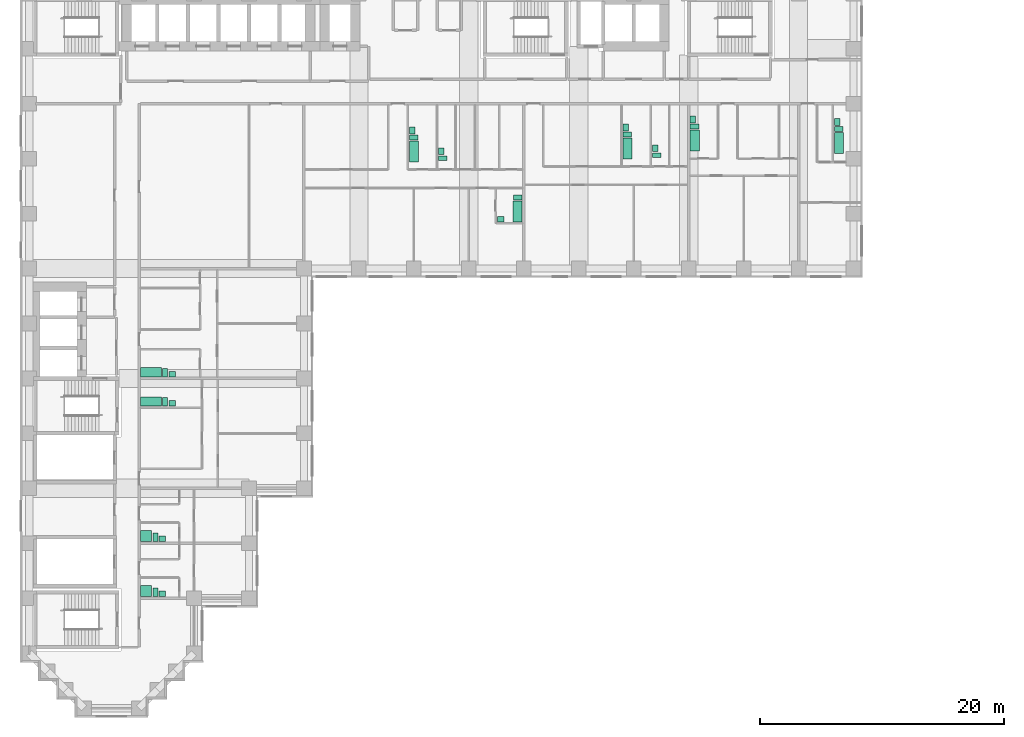
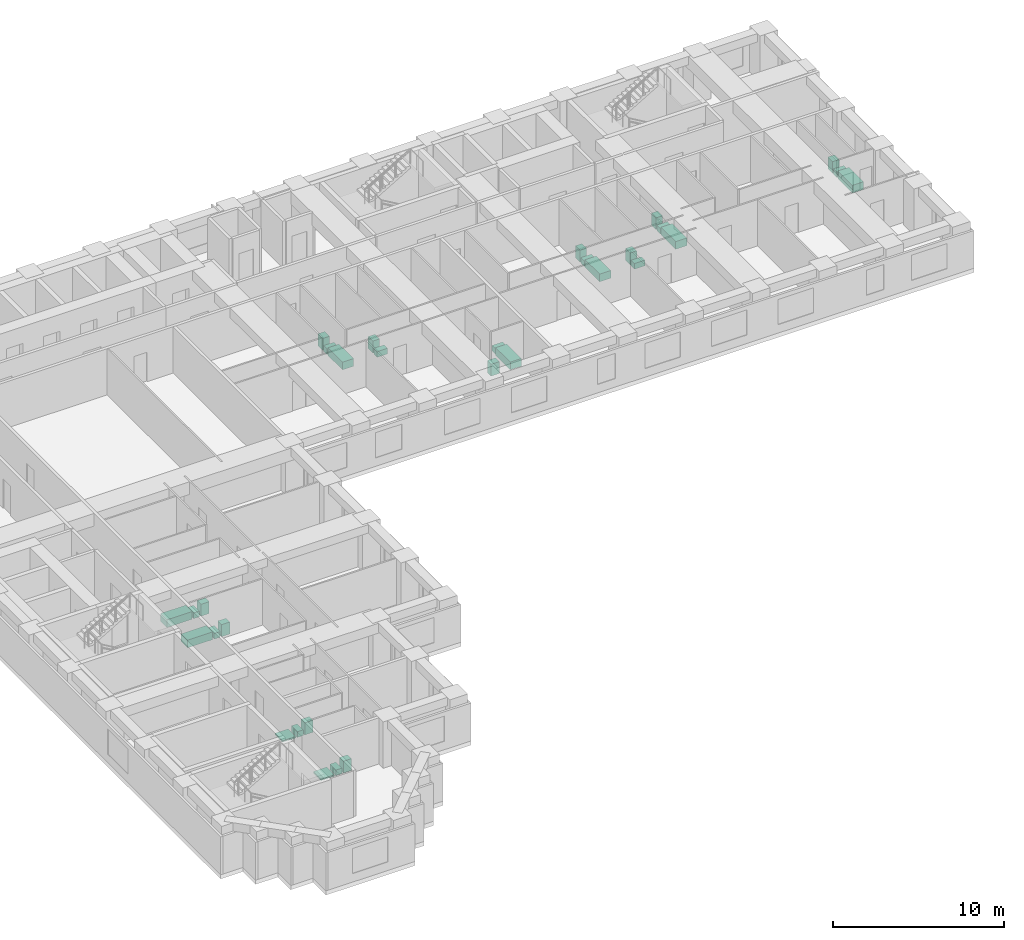
# One storey, part 12 of 12: 31 sanitary terminals.
"""IFC4 building model written with IfcOpenShell, lengths in metres."""

from ifc_helpers import new_model, si_unit, direction, frame, origin, origin_2d, place, context, subcontext, project, spatial, rectangle, extrude, material, type_object, element, save


model = new_model("IFC4")

# Units and contexts
model_context = context("Model", 3, precision=1e-05, world=origin(), true_north=direction((0.0, 1.0)))
body_context = subcontext(model_context, "Body", "Model", "MODEL_VIEW")
ifc_project = project(units=[si_unit("LENGTHUNIT", "METRE"), si_unit("AREAUNIT", "SQUARE_METRE"), si_unit("VOLUMEUNIT", "CUBIC_METRE"), si_unit("PLANEANGLEUNIT", "RADIAN"), si_unit("MASSUNIT", "GRAM", prefix="KILO")], contexts=[model_context])

# Site, building, storey
site_placement = place(None, origin())
site = spatial("IfcSite", under=ifc_project, at=site_placement, CompositionType="ELEMENT")
building_placement = place(site_placement, origin())
building = spatial("IfcBuilding", under=site, at=building_placement, Name="Firuza Court", CompositionType="ELEMENT")
storey_placement = place(building_placement, frame((0.0, 0.0, 36.199951171875)))
storey = spatial("IfcBuildingStorey", under=building, at=storey_placement, Name="L07", CompositionType="ELEMENT", Elevation=36.199951171875)

# Sanitary terminals
ifc_material_1 = material(Name="Vitreous china", Category="ceramic")
sanitary_terminal_type_1 = type_object("IfcSanitaryTerminalType", Name="Fixture Bath", PredefinedType="BATH", material=ifc_material_1)
for number, where, z_axis, x_axis, name in (
    (1, (31.5048828125, 45.580078125, 0.0), (0.0, 0.0, 1.0), (1.0, 0.0, 0.0), "Bath"),
    (2, (39.9951171875, 40.679931640625, 0.0), (0.0, 0.0, 1.0), (1.0, 0.0, 0.0), "Bath"),
    (3, (49.0048828125, 45.830078125, 0.0), (0.0, 0.0, 1.0), (1.0, 0.0, 0.0), "Bath"),
    (4, (54.5048828125, 46.47998046875, 0.0), (0.0, 0.0, 1.0), (1.0, 0.0, 0.0), "Bath"),
    (5, (66.304931640625, 46.280029296875, 0.0), (0.0, 0.0, 1.0), (1.0, 0.0, 0.0), "Bath"),
):
    element("IfcSanitaryTerminal", number, at=place(storey_placement, frame(where, z_axis=z_axis, x_axis=x_axis)), inside=storey, type_object=sanitary_terminal_type_1, Name=name, PredefinedType="BATH", context=body_context, shape_type="SweptSolid", body=[
        extrude(rectangle(XDim=0.75, YDim=1.699951171875, at=origin_2d()), origin(), (0.0, 0.0, 1.0), 0.550048828125),
    ])
for number, where, z_axis, x_axis, name in (
    (6, (9.97998046875, 27.5048828125, 0.0), (0.0, 0.0, 1.0), (1.0, 0.0, 0.0), "Bath"),
    (7, (9.97998046875, 25.10498046875, 0.0), (0.0, 0.0, 1.0), (1.0, 0.0, 0.0), "Bath"),
):
    element("IfcSanitaryTerminal", number, at=place(storey_placement, frame(where, z_axis=z_axis, x_axis=x_axis)), inside=storey, type_object=sanitary_terminal_type_1, Name=name, PredefinedType="BATH", context=body_context, shape_type="SweptSolid", body=[
        extrude(rectangle(XDim=1.699951171875, YDim=0.75, at=origin_2d()), origin(), (0.0, 0.0, 1.0), 0.550048828125),
    ])
ifc_material_2 = material(Name="Vitreous china", Category="ceramic")
sanitary_terminal_type_2 = type_object("IfcSanitaryTerminalType", Name="Fixture Shower tray", PredefinedType="SHOWER", material=ifc_material_2)
for number, where, z_axis, x_axis, name in (
    (8, (9.580078125, 14.080078125, 0.0), (0.0, 0.0, 1.0), (1.0, 0.0, 0.0), "Shower tray"),
    (9, (9.580078125, 9.580078125, 0.0), (0.0, 0.0, 1.0), (1.0, 0.0, 0.0), "Shower tray"),
):
    element("IfcSanitaryTerminal", number, at=place(storey_placement, frame(where, z_axis=z_axis, x_axis=x_axis)), inside=storey, type_object=sanitary_terminal_type_2, Name=name, PredefinedType="SHOWER", context=body_context, shape_type="SweptSolid", body=[
        extrude(rectangle(XDim=0.89990234375, YDim=0.89990234375, at=origin_2d()), origin(), (0.0, 0.0, 1.0), 0.10009765625),
    ])
ifc_material_3 = material(Name="Vitreous china", Category="ceramic")
sanitary_terminal_type_3 = type_object("IfcSanitaryTerminalType", Name="Fixture WC pan", PredefinedType="TOILETPAN", material=ifc_material_3)
for number, where, z_axis, x_axis, name in (
    (10, (31.47998046875, 46.72998046875, 0.0), (0.0, 0.0, 1.0), (1.0, 0.0, 0.0), "WC pan"),
    (11, (33.8798828125, 45.030029296875, 0.0), (0.0, 0.0, 1.0), (1.0, 0.0, 0.0), "WC pan"),
    (12, (40.02001953125, 41.830078125, 0.0), (0.0, 0.0, 1.0), (1.0, 0.0, 0.0), "WC pan"),
    (13, (48.97998046875, 46.97998046875, 0.0), (0.0, 0.0, 1.0), (1.0, 0.0, 0.0), "WC pan"),
    (14, (51.3798828125, 45.280029296875, 0.0), (0.0, 0.0, 1.0), (1.0, 0.0, 0.0), "WC pan"),
    (15, (54.47998046875, 47.6298828125, 0.0), (0.0, 0.0, 1.0), (1.0, 0.0, 0.0), "WC pan"),
    (16, (66.280029296875, 47.429931640625, 0.0), (0.0, 0.0, 1.0), (1.0, 0.0, 0.0), "WC pan"),
):
    element("IfcSanitaryTerminal", number, at=place(storey_placement, frame(where, z_axis=z_axis, x_axis=x_axis)), inside=storey, type_object=sanitary_terminal_type_3, Name=name, PredefinedType="TOILETPAN", context=body_context, shape_type="SweptSolid", body=[
        extrude(rectangle(XDim=0.699951171875, YDim=0.39990234375, at=origin_2d()), origin(), (0.0, 0.0, 1.0), 0.39990234375),
    ])
for number, where, z_axis, x_axis, name in (
    (17, (11.1298828125, 27.47998046875, 0.0), (0.0, 0.0, 1.0), (1.0, 0.0, 0.0), "WC pan"),
    (18, (11.1298828125, 25.080078125, 0.0), (0.0, 0.0, 1.0), (1.0, 0.0, 0.0), "WC pan"),
    (19, (10.330078125, 13.97998046875, 0.0), (0.0, 0.0, 1.0), (1.0, 0.0, 0.0), "WC pan"),
    (20, (10.330078125, 9.47998046875, 0.0), (0.0, 0.0, 1.0), (1.0, 0.0, 0.0), "WC pan"),
):
    element("IfcSanitaryTerminal", number, at=place(storey_placement, frame(where, z_axis=z_axis, x_axis=x_axis)), inside=storey, type_object=sanitary_terminal_type_3, Name=name, PredefinedType="TOILETPAN", context=body_context, shape_type="SweptSolid", body=[
        extrude(rectangle(XDim=0.39990234375, YDim=0.699951171875, at=origin_2d()), origin(), (0.0, 0.0, 1.0), 0.39990234375),
    ])
ifc_material_4 = material(Name="Vitreous china", Category="ceramic")
sanitary_terminal_type_4 = type_object("IfcSanitaryTerminalType", Name="Fixture Washbasin", PredefinedType="WASHHANDBASIN", material=ifc_material_4)
for number, where, z_axis, x_axis, name in (
    (21, (31.35498046875, 47.304931640625, 0.0), (0.0, 0.0, 1.0), (1.0, 0.0, 0.0), "Washbasin"),
    (22, (33.7548828125, 45.60498046875, 0.0), (0.0, 0.0, 1.0), (1.0, 0.0, 0.0), "Washbasin"),
):
    element("IfcSanitaryTerminal", number, at=place(storey_placement, frame(where, z_axis=z_axis, x_axis=x_axis)), inside=storey, type_object=sanitary_terminal_type_4, Name=name, PredefinedType="WASHHANDBASIN", context=body_context, shape_type="SweptSolid", body=[
        extrude(rectangle(XDim=0.449951171875, YDim=0.550048828125, at=origin_2d()), origin(), (0.0, 0.0, 1.0), 0.85009765625),
    ])
sanitary_terminal_placement = place(storey_placement, frame((38.60498046875, 40.054931640625, 0.0), z_axis=(0.0, 0.0, 1.0), x_axis=(1.0, 0.0, 0.0)))
element("IfcSanitaryTerminal", 23, at=sanitary_terminal_placement, inside=storey, type_object=sanitary_terminal_type_4, Name="Washbasin", PredefinedType="WASHHANDBASIN", context=body_context, shape_type="SweptSolid", body=[
    extrude(rectangle(XDim=0.550048828125, YDim=0.449951171875, at=origin_2d()), origin(), (0.0, 0.0, 1.0), 0.85009765625),
])
for number, where, z_axis, x_axis, name in (
    (24, (48.85498046875, 47.554931640625, 0.0), (0.0, 0.0, 1.0), (1.0, 0.0, 0.0), "Washbasin"),
    (25, (51.2548828125, 45.85498046875, 0.0), (0.0, 0.0, 1.0), (1.0, 0.0, 0.0), "Washbasin"),
    (26, (54.35498046875, 48.205078125, 0.0), (0.0, 0.0, 1.0), (1.0, 0.0, 0.0), "Washbasin"),
    (27, (66.155029296875, 48.0048828125, 0.0), (0.0, 0.0, 1.0), (1.0, 0.0, 0.0), "Washbasin"),
):
    element("IfcSanitaryTerminal", number, at=place(storey_placement, frame(where, z_axis=z_axis, x_axis=x_axis)), inside=storey, type_object=sanitary_terminal_type_4, Name=name, PredefinedType="WASHHANDBASIN", context=body_context, shape_type="SweptSolid", body=[
        extrude(rectangle(XDim=0.449951171875, YDim=0.550048828125, at=origin_2d()), origin(), (0.0, 0.0, 1.0), 0.85009765625),
    ])
for number, where, z_axis, x_axis, name in (
    (28, (11.705078125, 27.35498046875, 0.0), (0.0, 0.0, 1.0), (1.0, 0.0, 0.0), "Washbasin"),
    (29, (11.705078125, 24.955078125, 0.0), (0.0, 0.0, 1.0), (1.0, 0.0, 0.0), "Washbasin"),
    (30, (10.905029296875, 13.85498046875, 0.0), (0.0, 0.0, 1.0), (1.0, 0.0, 0.0), "Washbasin"),
    (31, (10.905029296875, 9.35498046875, 0.0), (0.0, 0.0, 1.0), (1.0, 0.0, 0.0), "Washbasin"),
):
    element("IfcSanitaryTerminal", number, at=place(storey_placement, frame(where, z_axis=z_axis, x_axis=x_axis)), inside=storey, type_object=sanitary_terminal_type_4, Name=name, PredefinedType="WASHHANDBASIN", context=body_context, shape_type="SweptSolid", body=[
        extrude(rectangle(XDim=0.550048828125, YDim=0.449951171875, at=origin_2d()), origin(), (0.0, 0.0, 1.0), 0.85009765625),
    ])

save(model, "model.ifc")
